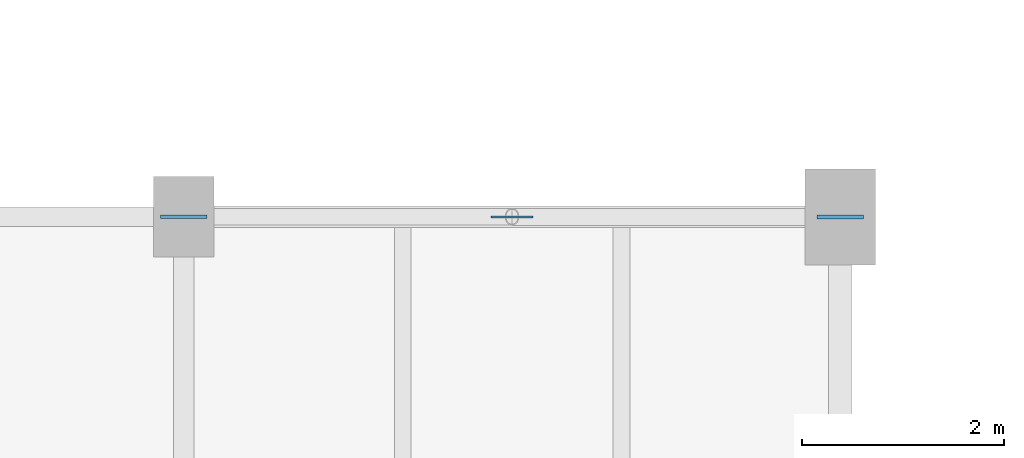
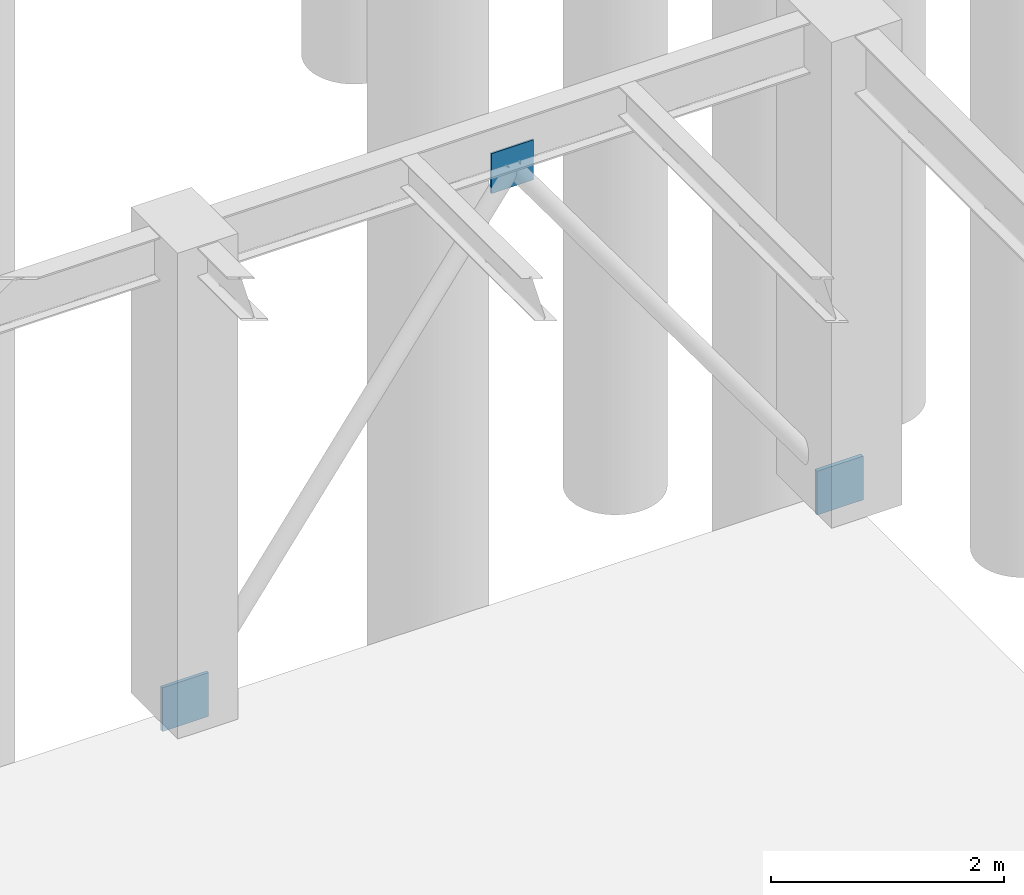
# One storey, part 169 of 203: 3 plates.
"""IFC4 building model written with IfcOpenShell, lengths in metres."""

import ifcopenshell
import ifcopenshell.guid

model = None  # the IFC model being written
_history = None  # IfcOwnerHistory: only IFC2X3 demands one
_inside = {}  # id of a spatial element -> (the spatial element, [elements in it])
_under = {}  # id of a project, library or spatial element -> (it, [spatial elements below it])
_declared = {}  # id of a project -> (the project, [libraries it declares])
_typed = {}  # id of a type object -> (the type object, [elements of that type])
_made_of = {}  # id of a material, layer set ... -> (it, [elements and type objects made of it])


def new_model(schema):
    """Start an empty IFC model of exactly this schema.

    Asked for "IFC4X3", IfcOpenShell would pick the latest addendum, in which some entities
    have other attributes; the version numbers below select the first issue.
    IFC2X3 requires an IfcOwnerHistory on every rooted entity: one is made here for all.
    """
    global model, _history
    if schema == "IFC4X3":
        model = ifcopenshell.file(schema_version=(4, 3, 0, 0))
    else:
        model = ifcopenshell.file(schema=schema)
    _inside.clear()
    _under.clear()
    _declared.clear()
    _typed.clear()
    _made_of.clear()
    _history = None
    if model.schema == "IFC2X3":
        org = make("IfcOrganization", Name="unknown")
        user = make(
            "IfcPersonAndOrganization",
            ThePerson=make("IfcPerson", FamilyName="unknown"),
            TheOrganization=org,
        )
        app = make(
            "IfcApplication",
            ApplicationDeveloper=org,
            Version="unknown",
            ApplicationFullName="unknown",
            ApplicationIdentifier="unknown",
        )
        _history = make(
            "IfcOwnerHistory",
            OwningUser=user,
            OwningApplication=app,
            ChangeAction="ADDED",
            CreationDate=0,
        )
    return model


def make(cls, **values):
    """One entity of the class cls with the attributes given. An attribute that is None is left unset."""
    return model.create_entity(
        cls, **{name: value for name, value in values.items() if value is not None}
    )


def rooted(cls, **values):
    """An entity with a GlobalId (a new one), such as an element, a storey or a relation."""
    return make(cls, GlobalId=ifcopenshell.guid.new(), OwnerHistory=_history, **values)


def si_unit(unit_type, name, prefix=None):
    """IfcSIUnit, for example si_unit("LENGTHUNIT", "METRE", prefix="MILLI")."""
    return make("IfcSIUnit", UnitType=unit_type, Prefix=prefix, Name=name)


def assignment(units):
    """IfcUnitAssignment: the units of a project."""
    return None if units is None else make("IfcUnitAssignment", Units=units)


def point(xyz):
    """IfcCartesianPoint."""
    return None if xyz is None else make("IfcCartesianPoint", Coordinates=xyz)


def direction(xyz):
    """IfcDirection."""
    return None if xyz is None else make("IfcDirection", DirectionRatios=xyz)


def frame(location, z_axis=None, x_axis=None):
    """IfcAxis2Placement3D, a coordinate frame: its origin and axes. An axis left out is left unset."""
    return make(
        "IfcAxis2Placement3D",
        Location=point(location),
        Axis=direction(z_axis),
        RefDirection=direction(x_axis),
    )


def frame_2d(location, x_axis=None):
    """IfcAxis2Placement2D, a coordinate frame in the plane: its origin and x axis."""
    return make(
        "IfcAxis2Placement2D", Location=point(location), RefDirection=direction(x_axis)
    )


def origin():
    """The frame at (0, 0, 0) with its axes left unset."""
    return frame((0.0, 0.0, 0.0))


def origin_2d():
    """The frame at (0, 0) in the plane with its x axis left unset."""
    return frame_2d((0.0, 0.0))


def place(relative_to, where):
    """IfcLocalPlacement: puts the frame where relative to a parent placement (None: the world)."""
    return make(
        "IfcLocalPlacement", PlacementRelTo=relative_to, RelativePlacement=where
    )


def context(
    kind, dimensions, precision=None, world=None, true_north=None, identifier=None
):
    """IfcGeometricRepresentationContext, for example the 3D "Model" context."""
    return make(
        "IfcGeometricRepresentationContext",
        ContextIdentifier=identifier,
        ContextType=kind,
        CoordinateSpaceDimension=dimensions,
        Precision=precision,
        WorldCoordinateSystem=world,
        TrueNorth=true_north,
    )


def subcontext(parent, identifier, kind, view, scale=None):
    """IfcGeometricRepresentationSubContext, for example "Body" below "Model"."""
    return make(
        "IfcGeometricRepresentationSubContext",
        ContextIdentifier=identifier,
        ContextType=kind,
        ParentContext=parent,
        TargetScale=scale,
        TargetView=view,
    )


def project(units=None, contexts=None):
    """IfcProject with its units and contexts."""
    return rooted(
        "IfcProject",
        Name="project",
        RepresentationContexts=contexts,
        UnitsInContext=assignment(units),
    )


def spatial(cls, under=None, at=None, **own):
    """A site, building, storey or space (cls), placed at a placement, below another one or the project."""
    s = rooted(cls, ObjectPlacement=at, **own)
    if under is not None:
        _under.setdefault(under.id(), (under, []))[1].append(s)
    return s


def profile(cls, at=None, kind="AREA", **sizes):
    """A parametric profile (cls). Its sizes go by their IFC names, for example OverallWidth=200.0."""
    return make(cls, ProfileType=kind, Position=at, **sizes)


def rectangle(**sizes):
    """IfcRectangleProfileDef."""
    return profile("IfcRectangleProfileDef", **sizes)


def extrude(swept, where, along, depth):
    """IfcExtrudedAreaSolid: the profile swept, set in the frame where, extruded along a direction by depth."""
    return make(
        "IfcExtrudedAreaSolid",
        SweptArea=swept,
        Position=where,
        ExtrudedDirection=direction(along),
        Depth=depth,
    )


def shape(context_of_items, identifier, shape_type, items):
    """IfcShapeRepresentation: the items that make up one representation, for example the "Body"."""
    return make(
        "IfcShapeRepresentation",
        ContextOfItems=context_of_items,
        RepresentationIdentifier=identifier,
        RepresentationType=shape_type,
        Items=items,
    )


def material(Name=None, Category=None):
    """IfcMaterial."""
    return make("IfcMaterial", Name=Name, Category=Category)


def layer(
    of_material, thickness, ventilated=None, Name=None, Category=None, Priority=None
):
    """IfcMaterialLayer: one layer of a wall or slab, of a material (None: an air gap)."""
    return make(
        "IfcMaterialLayer",
        Material=of_material,
        LayerThickness=thickness,
        IsVentilated=ventilated,
        Name=Name,
        Category=Category,
        Priority=Priority,
    )


def layer_set(layers, Name=None):
    """IfcMaterialLayerSet."""
    return make("IfcMaterialLayerSet", MaterialLayers=layers, LayerSetName=Name)


def made_of(thing, what):
    """Note that an element or type object is made of a material, layer set ...; save() writes the relation."""
    if what is not None:
        _made_of.setdefault(what.id(), (what, []))[1].append(thing)
    return thing


def type_object(cls, material=None, **own):
    """A type object (cls), such as IfcWallType, which elements share."""
    return made_of(rooted(cls, **own), material)


def element(
    cls,
    number,
    at=None,
    inside=None,
    cuts=None,
    type_object=None,
    material=None,
    context=None,
    identifier="Body",
    shape_type=None,
    held_by="IfcProductDefinitionShape",
    body=None,
    shapes=None,
    **own,
):
    """One element of the class cls, such as IfcWall. Its Tag is "e" and its number.

    at: its placement. inside: the storey or other place that contains it. cuts: it is an
    opening in that element (IfcRelVoidsElement). A single representation is given by context,
    identifier, shape_type and body (its items); several are given by shapes. held_by: the class
    of the entity that holds the representations. save() writes the other relations.
    """
    e = rooted(cls, Tag="e%d" % number, ObjectPlacement=at, **own)
    if body is not None:
        shapes = [shape(context, identifier, shape_type, body)]
    if shapes is not None:
        e.Representation = make(held_by, Representations=shapes)
    if inside is not None:
        _inside.setdefault(inside.id(), (inside, []))[1].append(e)
    if cuts is not None:
        rooted(
            "IfcRelVoidsElement", RelatingBuildingElement=cuts, RelatedOpeningElement=e
        )
    if type_object is not None:
        _typed.setdefault(type_object.id(), (type_object, []))[1].append(e)
    return made_of(e, material)


def aggregate(whole, parts):
    """IfcRelAggregates: a whole, such as a stair, and the parts it consists of."""
    return rooted("IfcRelAggregates", RelatingObject=whole, RelatedObjects=parts)


def save(model, path):
    """Write the relations noted so far, then the file.

    IfcRelAggregates (storeys below a building ...), IfcRelContainedInSpatialStructure (elements
    in a storey), IfcRelDefinesByType, IfcRelAssociatesMaterial and IfcRelDeclares: one each for
    every whole, place, type object, material and project.
    """
    for whole, parts in _under.values():
        aggregate(whole, parts)
    for where, things in _inside.values():
        rooted(
            "IfcRelContainedInSpatialStructure",
            RelatedElements=things,
            RelatingStructure=where,
        )
    for kind, things in _typed.values():
        rooted("IfcRelDefinesByType", RelatedObjects=things, RelatingType=kind)
    for what, things in _made_of.values():
        rooted("IfcRelAssociatesMaterial", RelatedObjects=things, RelatingMaterial=what)
    for by, libraries in _declared.values():
        rooted("IfcRelDeclares", RelatingContext=by, RelatedDefinitions=libraries)
    model.write(path)


model = new_model("IFC4")

# Units and contexts
model_context = context("Model", 3, precision=1e-05, world=origin(), true_north=direction((0.0, 1.0)))
body_context = subcontext(model_context, "Body", "Model", "MODEL_VIEW")
ifc_project = project(units=[si_unit("LENGTHUNIT", "METRE"), si_unit("AREAUNIT", "SQUARE_METRE"), si_unit("VOLUMEUNIT", "CUBIC_METRE"), si_unit("PLANEANGLEUNIT", "RADIAN"), si_unit("MASSUNIT", "GRAM", prefix="KILO"), si_unit("THERMODYNAMICTEMPERATUREUNIT", "KELVIN"), si_unit("POWERUNIT", "WATT")], contexts=[model_context])

# Site, building, storey
site_placement = place(None, origin())
site = spatial("IfcSite", under=ifc_project, at=site_placement, CompositionType="ELEMENT")
building_placement = place(site_placement, origin())
building = spatial("IfcBuilding", under=site, at=building_placement, Name="Tepalcoro Natatorium and Aquatics Centre", CompositionType="ELEMENT")
storey_placement = place(building_placement, origin())
storey = spatial("IfcBuildingStorey", under=building, at=storey_placement, Name="L00", CompositionType="ELEMENT", Elevation=0.0)

# Plates
ifc_material = material(Name="Plate Steel ASTM A572 Grade 50 (Fy 345 MPa)", Category="steel")
ifc_layer_1 = layer(ifc_material, 0.031982421875)
ifc_layer_set_1 = layer_set([ifc_layer_1], Name="Plate Steel ASTM A572 Grade 50 (Fy 345 MPa)")
plate_type_1 = type_object("IfcPlateType", Name="PL_CAP_32", PredefinedType="USERDEFINED", material=ifc_layer_set_1)
plate_1_placement = place(storey_placement, frame((131.5, 72.0, -0.179931640625), z_axis=(0.0, 0.0, 1.0), x_axis=(1.0, 0.0, 0.0)))
element("IfcPlate", 1, at=plate_1_placement, inside=storey, type_object=plate_type_1, Name="Truss Node Cap Plate BRB_3", ObjectType="CAP PLATE", PredefinedType="USERDEFINED", context=body_context, shape_type="SweptSolid", body=[
    extrude(rectangle(XDim=0.4599609375, YDim=0.031982421875, at=origin_2d()), origin(), (0.0, 0.0, 1.0), 0.4599609375),
])
ifc_layer_2 = layer(ifc_material, 0.02001953125)
ifc_layer_set_2 = layer_set([ifc_layer_2], Name="Plate Steel ASTM A572 Grade 50 (Fy 345 MPa)")
plate_type_2 = type_object("IfcPlateType", Name="PL_GUSSET_20", PredefinedType="USERDEFINED", material=ifc_layer_set_2)
plate_2_placement = place(storey_placement, frame((134.75, 72.0, 4.320068359375), z_axis=(0.0, 0.0, 1.0), x_axis=(1.0, 0.0, 0.0)))
element("IfcPlate", 2, at=plate_2_placement, inside=storey, type_object=plate_type_2, Name="V1 L00 Chevron Gusset Plate GP1", ObjectType="GUSSET PLATE", PredefinedType="USERDEFINED", context=body_context, shape_type="SweptSolid", body=[
    extrude(rectangle(XDim=0.419921875, YDim=0.02001953125, at=origin_2d()), origin(), (0.0, 0.0, 1.0), 0.419921875),
])
ifc_layer_3 = layer(ifc_material, 0.0400390625)
ifc_layer_set_3 = layer_set([ifc_layer_3], Name="Plate Steel ASTM A572 Grade 50 (Fy 345 MPa)")
plate_type_3 = type_object("IfcPlateType", Name="PL_GUSSET_40", PredefinedType="USERDEFINED", material=ifc_layer_set_3)
plate_3_placement = place(storey_placement, frame((138.0, 72.0, -0.179931640625), z_axis=(0.0, 0.0, 1.0), x_axis=(1.0, 0.0, 0.0)))
element("IfcPlate", 3, at=plate_3_placement, inside=storey, type_object=plate_type_3, Name="Truss Node Gusset Plate BRB_3", ObjectType="GUSSET PLATE", PredefinedType="USERDEFINED", context=body_context, shape_type="SweptSolid", body=[
    extrude(rectangle(XDim=0.4599609375, YDim=0.0400390625, at=origin_2d()), origin(), (0.0, 0.0, 1.0), 0.4599609375),
])

save(model, "model.ifc")
